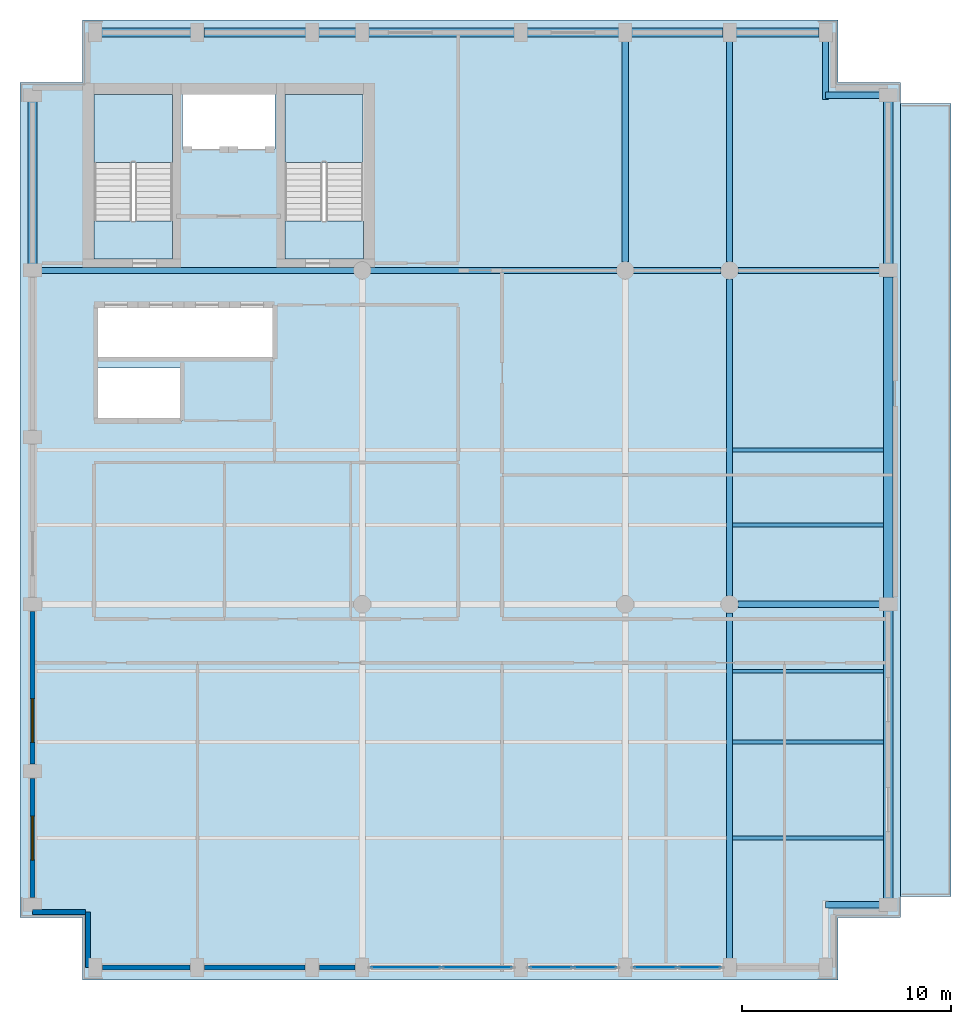
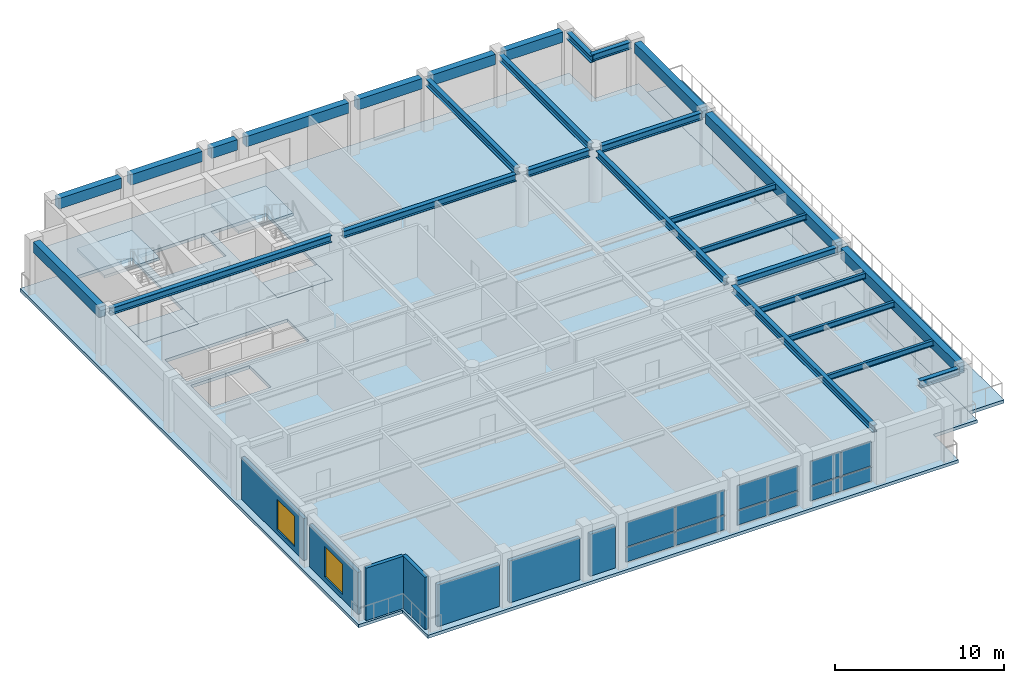
# One storey, part 3 of 9: 28 beams, 12 plates, 7 walls, 6 slabs, 2 windows, 2 openings, 5 elements without a shape of their own.
"""IFC4 building model written with IfcOpenShell, lengths in metres."""

import ifcopenshell
import ifcopenshell.guid

model = None  # the IFC model being written
_history = None  # IfcOwnerHistory: only IFC2X3 demands one
_inside = {}  # id of a spatial element -> (the spatial element, [elements in it])
_under = {}  # id of a project, library or spatial element -> (it, [spatial elements below it])
_declared = {}  # id of a project -> (the project, [libraries it declares])
_typed = {}  # id of a type object -> (the type object, [elements of that type])
_made_of = {}  # id of a material, layer set ... -> (it, [elements and type objects made of it])


def new_model(schema):
    """Start an empty IFC model of exactly this schema.

    Asked for "IFC4X3", IfcOpenShell would pick the latest addendum, in which some entities
    have other attributes; the version numbers below select the first issue.
    IFC2X3 requires an IfcOwnerHistory on every rooted entity: one is made here for all.
    """
    global model, _history
    if schema == "IFC4X3":
        model = ifcopenshell.file(schema_version=(4, 3, 0, 0))
    else:
        model = ifcopenshell.file(schema=schema)
    _inside.clear()
    _under.clear()
    _declared.clear()
    _typed.clear()
    _made_of.clear()
    _history = None
    if model.schema == "IFC2X3":
        org = make("IfcOrganization", Name="unknown")
        user = make(
            "IfcPersonAndOrganization",
            ThePerson=make("IfcPerson", FamilyName="unknown"),
            TheOrganization=org,
        )
        app = make(
            "IfcApplication",
            ApplicationDeveloper=org,
            Version="unknown",
            ApplicationFullName="unknown",
            ApplicationIdentifier="unknown",
        )
        _history = make(
            "IfcOwnerHistory",
            OwningUser=user,
            OwningApplication=app,
            ChangeAction="ADDED",
            CreationDate=0,
        )
    return model


def make(cls, **values):
    """One entity of the class cls with the attributes given. An attribute that is None is left unset."""
    return model.create_entity(
        cls, **{name: value for name, value in values.items() if value is not None}
    )


def rooted(cls, **values):
    """An entity with a GlobalId (a new one), such as an element, a storey or a relation."""
    return make(cls, GlobalId=ifcopenshell.guid.new(), OwnerHistory=_history, **values)


def si_unit(unit_type, name, prefix=None):
    """IfcSIUnit, for example si_unit("LENGTHUNIT", "METRE", prefix="MILLI")."""
    return make("IfcSIUnit", UnitType=unit_type, Prefix=prefix, Name=name)


def assignment(units):
    """IfcUnitAssignment: the units of a project."""
    return None if units is None else make("IfcUnitAssignment", Units=units)


def point(xyz):
    """IfcCartesianPoint."""
    return None if xyz is None else make("IfcCartesianPoint", Coordinates=xyz)


def direction(xyz):
    """IfcDirection."""
    return None if xyz is None else make("IfcDirection", DirectionRatios=xyz)


def frame(location, z_axis=None, x_axis=None):
    """IfcAxis2Placement3D, a coordinate frame: its origin and axes. An axis left out is left unset."""
    return make(
        "IfcAxis2Placement3D",
        Location=point(location),
        Axis=direction(z_axis),
        RefDirection=direction(x_axis),
    )


def frame_2d(location, x_axis=None):
    """IfcAxis2Placement2D, a coordinate frame in the plane: its origin and x axis."""
    return make(
        "IfcAxis2Placement2D", Location=point(location), RefDirection=direction(x_axis)
    )


def origin():
    """The frame at (0, 0, 0) with its axes left unset."""
    return frame((0.0, 0.0, 0.0))


def origin_2d():
    """The frame at (0, 0) in the plane with its x axis left unset."""
    return frame_2d((0.0, 0.0))


def place(relative_to, where):
    """IfcLocalPlacement: puts the frame where relative to a parent placement (None: the world)."""
    return make(
        "IfcLocalPlacement", PlacementRelTo=relative_to, RelativePlacement=where
    )


def context(
    kind, dimensions, precision=None, world=None, true_north=None, identifier=None
):
    """IfcGeometricRepresentationContext, for example the 3D "Model" context."""
    return make(
        "IfcGeometricRepresentationContext",
        ContextIdentifier=identifier,
        ContextType=kind,
        CoordinateSpaceDimension=dimensions,
        Precision=precision,
        WorldCoordinateSystem=world,
        TrueNorth=true_north,
    )


def subcontext(parent, identifier, kind, view, scale=None):
    """IfcGeometricRepresentationSubContext, for example "Body" below "Model"."""
    return make(
        "IfcGeometricRepresentationSubContext",
        ContextIdentifier=identifier,
        ContextType=kind,
        ParentContext=parent,
        TargetScale=scale,
        TargetView=view,
    )


def project(units=None, contexts=None):
    """IfcProject with its units and contexts."""
    return rooted(
        "IfcProject",
        Name="project",
        RepresentationContexts=contexts,
        UnitsInContext=assignment(units),
    )


def spatial(cls, under=None, at=None, **own):
    """A site, building, storey or space (cls), placed at a placement, below another one or the project."""
    s = rooted(cls, ObjectPlacement=at, **own)
    if under is not None:
        _under.setdefault(under.id(), (under, []))[1].append(s)
    return s


def polyline(points):
    """IfcPolyline through the points."""
    return make("IfcPolyline", Points=[point(p) for p in points])


def profile(cls, at=None, kind="AREA", **sizes):
    """A parametric profile (cls). Its sizes go by their IFC names, for example OverallWidth=200.0."""
    return make(cls, ProfileType=kind, Position=at, **sizes)


def rectangle(**sizes):
    """IfcRectangleProfileDef."""
    return profile("IfcRectangleProfileDef", **sizes)


def i_section(**sizes):
    """IfcIShapeProfileDef."""
    return profile("IfcIShapeProfileDef", **sizes)


def outline(outer, holes=None, kind="AREA"):
    """IfcArbitraryClosedProfileDef: a profile drawn as a closed curve; with holes, ...WithVoids."""
    if holes is None:
        return make("IfcArbitraryClosedProfileDef", ProfileType=kind, OuterCurve=outer)
    return make(
        "IfcArbitraryProfileDefWithVoids",
        ProfileType=kind,
        OuterCurve=outer,
        InnerCurves=holes,
    )


def extrude(swept, where, along, depth):
    """IfcExtrudedAreaSolid: the profile swept, set in the frame where, extruded along a direction by depth."""
    return make(
        "IfcExtrudedAreaSolid",
        SweptArea=swept,
        Position=where,
        ExtrudedDirection=direction(along),
        Depth=depth,
    )


def shape(context_of_items, identifier, shape_type, items):
    """IfcShapeRepresentation: the items that make up one representation, for example the "Body"."""
    return make(
        "IfcShapeRepresentation",
        ContextOfItems=context_of_items,
        RepresentationIdentifier=identifier,
        RepresentationType=shape_type,
        Items=items,
    )


def material(Name=None, Category=None):
    """IfcMaterial."""
    return make("IfcMaterial", Name=Name, Category=Category)


def layer(
    of_material, thickness, ventilated=None, Name=None, Category=None, Priority=None
):
    """IfcMaterialLayer: one layer of a wall or slab, of a material (None: an air gap)."""
    return make(
        "IfcMaterialLayer",
        Material=of_material,
        LayerThickness=thickness,
        IsVentilated=ventilated,
        Name=Name,
        Category=Category,
        Priority=Priority,
    )


def layer_set(layers, Name=None):
    """IfcMaterialLayerSet."""
    return make("IfcMaterialLayerSet", MaterialLayers=layers, LayerSetName=Name)


def material_profile(
    of_material, cross_section, Name=None, Category=None, Priority=None
):
    """IfcMaterialProfile: a cross section and its material."""
    return make(
        "IfcMaterialProfile",
        Name=Name,
        Material=of_material,
        Profile=cross_section,
        Priority=Priority,
        Category=Category,
    )


def profile_set(profiles, Name=None, composite=None):
    """IfcMaterialProfileSet."""
    return make(
        "IfcMaterialProfileSet",
        Name=Name,
        MaterialProfiles=profiles,
        CompositeProfile=composite,
    )


def made_of(thing, what):
    """Note that an element or type object is made of a material, layer set ...; save() writes the relation."""
    if what is not None:
        _made_of.setdefault(what.id(), (what, []))[1].append(thing)
    return thing


def type_object(cls, material=None, **own):
    """A type object (cls), such as IfcWallType, which elements share."""
    return made_of(rooted(cls, **own), material)


def element(
    cls,
    number,
    at=None,
    inside=None,
    cuts=None,
    type_object=None,
    material=None,
    context=None,
    identifier="Body",
    shape_type=None,
    held_by="IfcProductDefinitionShape",
    body=None,
    shapes=None,
    **own,
):
    """One element of the class cls, such as IfcWall. Its Tag is "e" and its number.

    at: its placement. inside: the storey or other place that contains it. cuts: it is an
    opening in that element (IfcRelVoidsElement). A single representation is given by context,
    identifier, shape_type and body (its items); several are given by shapes. held_by: the class
    of the entity that holds the representations. save() writes the other relations.
    """
    e = rooted(cls, Tag="e%d" % number, ObjectPlacement=at, **own)
    if body is not None:
        shapes = [shape(context, identifier, shape_type, body)]
    if shapes is not None:
        e.Representation = make(held_by, Representations=shapes)
    if inside is not None:
        _inside.setdefault(inside.id(), (inside, []))[1].append(e)
    if cuts is not None:
        rooted(
            "IfcRelVoidsElement", RelatingBuildingElement=cuts, RelatedOpeningElement=e
        )
    if type_object is not None:
        _typed.setdefault(type_object.id(), (type_object, []))[1].append(e)
    return made_of(e, material)


def fill(opening, filler):
    """IfcRelFillsElement: the door or window that sits in an opening."""
    return rooted(
        "IfcRelFillsElement",
        RelatingOpeningElement=opening,
        RelatedBuildingElement=filler,
    )


def aggregate(whole, parts):
    """IfcRelAggregates: a whole, such as a stair, and the parts it consists of."""
    return rooted("IfcRelAggregates", RelatingObject=whole, RelatedObjects=parts)


def save(model, path):
    """Write the relations noted so far, then the file.

    IfcRelAggregates (storeys below a building ...), IfcRelContainedInSpatialStructure (elements
    in a storey), IfcRelDefinesByType, IfcRelAssociatesMaterial and IfcRelDeclares: one each for
    every whole, place, type object, material and project.
    """
    for whole, parts in _under.values():
        aggregate(whole, parts)
    for where, things in _inside.values():
        rooted(
            "IfcRelContainedInSpatialStructure",
            RelatedElements=things,
            RelatingStructure=where,
        )
    for kind, things in _typed.values():
        rooted("IfcRelDefinesByType", RelatedObjects=things, RelatingType=kind)
    for what, things in _made_of.values():
        rooted("IfcRelAssociatesMaterial", RelatedObjects=things, RelatingMaterial=what)
    for by, libraries in _declared.values():
        rooted("IfcRelDeclares", RelatingContext=by, RelatedDefinitions=libraries)
    model.write(path)


model = new_model("IFC4")

# Units and contexts
model_context = context("Model", 3, precision=1e-05, world=origin(), true_north=direction((0.0, 1.0)))
body_context = subcontext(model_context, "Body", "Model", "MODEL_VIEW")
ifc_project = project(units=[si_unit("LENGTHUNIT", "METRE"), si_unit("AREAUNIT", "SQUARE_METRE"), si_unit("VOLUMEUNIT", "CUBIC_METRE"), si_unit("PLANEANGLEUNIT", "RADIAN"), si_unit("MASSUNIT", "GRAM", prefix="KILO")], contexts=[model_context])

# Site, building, storey
site_placement = place(None, origin())
site = spatial("IfcSite", under=ifc_project, at=site_placement, CompositionType="ELEMENT")
building_placement = place(site_placement, origin())
building = spatial("IfcBuilding", under=site, at=building_placement, Name="Sulina Concourse Tower", CompositionType="ELEMENT")
storey_placement = place(building_placement, frame((0.0, 0.0, 297.0)))
storey = spatial("IfcBuildingStorey", under=building, at=storey_placement, Name="L72", CompositionType="ELEMENT", Elevation=297.0)

# Beams
ifc_material_1 = material(Name="Steel S355", Category="steel")
ifc_material_profile_1 = material_profile(ifc_material_1, i_section(OverallWidth=0.300048828125, OverallDepth=0.5, WebThickness=0.014404296875, FlangeThickness=0.028076171875, at=origin_2d()), Name="HE 500 B")
ifc_profile_set_1 = profile_set([ifc_material_profile_1], Name="Steel S355")
beam_type_1 = type_object("IfcBeamType", Name="Crown & Canopy Primary Girder HE500B", PredefinedType="BEAM", material=ifc_profile_set_1)
for number, where, z_axis, x_axis, name in (
    (1, (38.60009765625, 3.60009765625, 3.52490234375), (1.0, 0.0, 0.0), (0.0, 1.0, 0.0), "TIE-SE-L72"),
    (2, (38.60009765625, 42.39990234375, 3.52490234375), (1.0, 0.0, 0.0), (0.0, 1.0, 0.0), "TIE-NE-L72"),
):
    element("IfcBeam", number, at=place(storey_placement, frame(where, z_axis=z_axis, x_axis=x_axis)), inside=storey, type_object=beam_type_1, Name=name, PredefinedType="BEAM", context=body_context, shape_type="SweptSolid", body=[
        extrude(i_section(OverallWidth=0.300048828125, OverallDepth=0.5, WebThickness=0.014404296875, FlangeThickness=0.028076171875, at=origin_2d()), origin(), (0.0, 0.0, 1.0), 2.69482421875),
    ])
beam_1_placement = place(storey_placement, frame((38.60009765625, 42.199951171875, 3.52490234375), z_axis=(0.0, 1.0, 0.0), x_axis=(-1.0, 0.0, 0.0)))
element("IfcBeam", 3, at=beam_1_placement, inside=storey, type_object=beam_type_1, Name="TIE-NEN-L72", PredefinedType="BEAM", context=body_context, shape_type="SweptSolid", body=[
    extrude(i_section(OverallWidth=0.300048828125, OverallDepth=0.5, WebThickness=0.014404296875, FlangeThickness=0.028076171875, at=origin_2d()), origin(), (0.0, 0.0, 1.0), 2.89501953125),
])
beam_2_placement = place(storey_placement, frame((34.405029296875, 18.0, 3.52490234375), z_axis=(1.0, 0.0, 0.0), x_axis=(0.0, 1.0, 0.0)))
element("IfcBeam", 4, at=beam_2_placement, inside=storey, type_object=beam_type_1, Name="FG-EW4-L72", PredefinedType="BEAM", context=body_context, shape_type="SweptSolid", body=[
    extrude(i_section(OverallWidth=0.300048828125, OverallDepth=0.5, WebThickness=0.014404296875, FlangeThickness=0.028076171875, at=origin_2d()), origin(), (0.0, 0.0, 1.0), 6.889892578125),
])
beam_3_placement = place(storey_placement, frame((0.905029296875, 34.0, 3.52490234375), z_axis=(1.0, 0.0, 0.0), x_axis=(0.0, 1.0, 0.0)))
element("IfcBeam", 5, at=beam_3_placement, inside=storey, type_object=beam_type_1, Name="FG-EWN1-L72", PredefinedType="BEAM", context=body_context, shape_type="SweptSolid", body=[
    extrude(i_section(OverallWidth=0.300048828125, OverallDepth=0.5, WebThickness=0.014404296875, FlangeThickness=0.028076171875, at=origin_2d()), origin(), (0.0, 0.0, 1.0), 15.090087890625),
])
beam_4_placement = place(storey_placement, frame((16.804931640625, 34.0, 3.52490234375), z_axis=(1.0, 0.0, 0.0), x_axis=(0.0, 1.0, 0.0)))
element("IfcBeam", 6, at=beam_4_placement, inside=storey, type_object=beam_type_1, Name="FG-EWN2-L72", PredefinedType="BEAM", context=body_context, shape_type="SweptSolid", body=[
    extrude(i_section(OverallWidth=0.300048828125, OverallDepth=0.5, WebThickness=0.014404296875, FlangeThickness=0.028076171875, at=origin_2d()), origin(), (0.0, 0.0, 1.0), 11.7900390625),
])
beam_5_placement = place(storey_placement, frame((29.405029296875, 34.0, 3.52490234375), z_axis=(1.0, 0.0, 0.0), x_axis=(0.0, 1.0, 0.0)))
element("IfcBeam", 7, at=beam_5_placement, inside=storey, type_object=beam_type_1, Name="FG-EWN3-L72", PredefinedType="BEAM", context=body_context, shape_type="SweptSolid", body=[
    extrude(i_section(OverallWidth=0.300048828125, OverallDepth=0.5, WebThickness=0.014404296875, FlangeThickness=0.028076171875, at=origin_2d()), origin(), (0.0, 0.0, 1.0), 4.18994140625),
])
beam_6_placement = place(storey_placement, frame((34.405029296875, 34.0, 3.52490234375), z_axis=(1.0, 0.0, 0.0), x_axis=(0.0, 1.0, 0.0)))
element("IfcBeam", 8, at=beam_6_placement, inside=storey, type_object=beam_type_1, Name="FG-EWN4-L72", PredefinedType="BEAM", context=body_context, shape_type="SweptSolid", body=[
    extrude(i_section(OverallWidth=0.300048828125, OverallDepth=0.5, WebThickness=0.014404296875, FlangeThickness=0.028076171875, at=origin_2d()), origin(), (0.0, 0.0, 1.0), 6.889892578125),
])
beam_7_placement = place(storey_placement, frame((29.0, 34.405029296875, 3.52490234375), z_axis=(0.0, 1.0, 0.0), x_axis=(-1.0, 0.0, 0.0)))
element("IfcBeam", 9, at=beam_7_placement, inside=storey, type_object=beam_type_1, Name="FG-NSC-29-L72", PredefinedType="BEAM", context=body_context, shape_type="SweptSolid", body=[
    extrude(i_section(OverallWidth=0.300048828125, OverallDepth=0.5, WebThickness=0.014404296875, FlangeThickness=0.028076171875, at=origin_2d()), origin(), (0.0, 0.0, 1.0), 10.68994140625),
])
beam_8_placement = place(storey_placement, frame((34.0, 0.905029296875, 3.52490234375), z_axis=(0.0, 1.0, 0.0), x_axis=(-1.0, 0.0, 0.0)))
element("IfcBeam", 10, at=beam_8_placement, inside=storey, type_object=beam_type_1, Name="FG-NSA-34-L72", PredefinedType="BEAM", context=body_context, shape_type="SweptSolid", body=[
    extrude(i_section(OverallWidth=0.300048828125, OverallDepth=0.5, WebThickness=0.014404296875, FlangeThickness=0.028076171875, at=origin_2d()), origin(), (0.0, 0.0, 1.0), 16.68994140625),
])
beam_9_placement = place(storey_placement, frame((34.0, 18.405029296875, 3.52490234375), z_axis=(0.0, 1.0, 0.0), x_axis=(-1.0, 0.0, 0.0)))
element("IfcBeam", 11, at=beam_9_placement, inside=storey, type_object=beam_type_1, Name="FG-NSB-34-L72", PredefinedType="BEAM", context=body_context, shape_type="SweptSolid", body=[
    extrude(i_section(OverallWidth=0.300048828125, OverallDepth=0.5, WebThickness=0.014404296875, FlangeThickness=0.028076171875, at=origin_2d()), origin(), (0.0, 0.0, 1.0), 15.18994140625),
])
beam_10_placement = place(storey_placement, frame((34.0, 34.405029296875, 3.52490234375), z_axis=(0.0, 1.0, 0.0), x_axis=(-1.0, 0.0, 0.0)))
element("IfcBeam", 12, at=beam_10_placement, inside=storey, type_object=beam_type_1, Name="FG-NSC-34-L72", PredefinedType="BEAM", context=body_context, shape_type="SweptSolid", body=[
    extrude(i_section(OverallWidth=0.300048828125, OverallDepth=0.5, WebThickness=0.014404296875, FlangeThickness=0.028076171875, at=origin_2d()), origin(), (0.0, 0.0, 1.0), 10.68994140625),
])
ifc_material_2 = material(Name="Steel S355", Category="steel")
ifc_material_profile_2 = material_profile(ifc_material_2, i_section(OverallWidth=0.179931640625, OverallDepth=0.39990234375, WebThickness=0.008544921875, FlangeThickness=0.013427734375, at=origin_2d()), Name="IPE 400")
ifc_profile_set_2 = profile_set([ifc_material_profile_2], Name="Steel S355")
beam_type_2 = type_object("IfcBeamType", Name="Crown & Terrace Joist IPE400", PredefinedType="JOIST", material=ifc_profile_set_2)
for number, where, z_axis, x_axis, name in (
    (13, (34.14990234375, 6.800048828125, 3.574951171875), (1.0, 0.0, 0.0), (0.0, 1.0, 0.0), "FJ-J06-4-L72"),
    (14, (34.14990234375, 11.39990234375, 3.574951171875), (1.0, 0.0, 0.0), (0.0, 1.0, 0.0), "FJ-J11-4-L72"),
    (15, (34.14990234375, 14.800048828125, 3.574951171875), (1.0, 0.0, 0.0), (0.0, 1.0, 0.0), "FJ-J15-4-L72"),
    (16, (34.14990234375, 21.800048828125, 3.574951171875), (1.0, 0.0, 0.0), (0.0, 1.0, 0.0), "FJ-J22-4-L72"),
    (17, (34.14990234375, 25.39990234375, 3.574951171875), (1.0, 0.0, 0.0), (0.0, 1.0, 0.0), "FJ-J25-4-L72"),
):
    element("IfcBeam", number, at=place(storey_placement, frame(where, z_axis=z_axis, x_axis=x_axis)), inside=storey, type_object=beam_type_2, Name=name, PredefinedType="JOIST", context=body_context, shape_type="SweptSolid", body=[
        extrude(i_section(OverallWidth=0.179931640625, OverallDepth=0.39990234375, WebThickness=0.008544921875, FlangeThickness=0.013427734375, at=origin_2d()), origin(), (0.0, 0.0, 1.0), 7.22509765625),
    ])
ifc_material_3 = material(Name="Precast concrete C50/60", Category="concrete")
ifc_material_profile_3 = material_profile(ifc_material_3, rectangle(XDim=0.449951171875, YDim=0.75, at=origin_2d()), Name="RC 450x750")
ifc_profile_set_3 = profile_set([ifc_material_profile_3], Name="Precast concrete C50/60")
beam_type_3 = type_object("IfcBeamType", Name="Upper Precast Spandrel Edge Beam 450x750", PredefinedType="BEAM", material=ifc_profile_set_3)
beam_11_placement = place(storey_placement, frame((3.905029296875, 45.39990234375, 3.39990234375), z_axis=(1.0, 0.0, 0.0), x_axis=(0.0, 1.0, 0.0)))
element("IfcBeam", 18, at=beam_11_placement, inside=storey, type_object=beam_type_3, Name="SP-N1-L72", PredefinedType="BEAM", context=body_context, shape_type="SweptSolid", body=[
    extrude(rectangle(XDim=0.449951171875, YDim=0.75, at=origin_2d()), origin(), (0.0, 0.0, 1.0), 4.2900390625),
])
beam_12_placement = place(storey_placement, frame((8.804931640625, 45.39990234375, 3.39990234375), z_axis=(1.0, 0.0, 0.0), x_axis=(0.0, 1.0, 0.0)))
element("IfcBeam", 19, at=beam_12_placement, inside=storey, type_object=beam_type_3, Name="SP-N2-L72", PredefinedType="BEAM", context=body_context, shape_type="SweptSolid", body=[
    extrude(rectangle(XDim=0.449951171875, YDim=0.75, at=origin_2d()), origin(), (0.0, 0.0, 1.0), 4.89013671875),
])
beam_13_placement = place(storey_placement, frame((14.304931640625, 45.39990234375, 3.39990234375), z_axis=(1.0, 0.0, 0.0), x_axis=(0.0, 1.0, 0.0)))
element("IfcBeam", 20, at=beam_13_placement, inside=storey, type_object=beam_type_3, Name="SP-N3-L72", PredefinedType="BEAM", context=body_context, shape_type="SweptSolid", body=[
    extrude(rectangle(XDim=0.449951171875, YDim=0.75, at=origin_2d()), origin(), (0.0, 0.0, 1.0), 1.7900390625),
])
beam_14_placement = place(storey_placement, frame((16.705078125, 45.39990234375, 3.39990234375), z_axis=(1.0, 0.0, 0.0), x_axis=(0.0, 1.0, 0.0)))
element("IfcBeam", 21, at=beam_14_placement, inside=storey, type_object=beam_type_3, Name="SP-N4-L72", PredefinedType="BEAM", context=body_context, shape_type="SweptSolid", body=[
    extrude(rectangle(XDim=0.449951171875, YDim=0.75, at=origin_2d()), origin(), (0.0, 0.0, 1.0), 6.989990234375),
])
for number, where, z_axis, x_axis, name in (
    (22, (24.304931640625, 45.39990234375, 3.39990234375), (1.0, 0.0, 0.0), (0.0, 1.0, 0.0), "SP-N5-L72"),
    (23, (29.304931640625, 45.39990234375, 3.39990234375), (1.0, 0.0, 0.0), (0.0, 1.0, 0.0), "SP-N6-L72"),
):
    element("IfcBeam", number, at=place(storey_placement, frame(where, z_axis=z_axis, x_axis=x_axis)), inside=storey, type_object=beam_type_3, Name=name, PredefinedType="BEAM", context=body_context, shape_type="SweptSolid", body=[
        extrude(rectangle(XDim=0.449951171875, YDim=0.75, at=origin_2d()), origin(), (0.0, 0.0, 1.0), 4.39013671875),
    ])
beam_15_placement = place(storey_placement, frame((34.304931640625, 45.39990234375, 3.39990234375), z_axis=(1.0, 0.0, 0.0), x_axis=(0.0, 1.0, 0.0)))
element("IfcBeam", 24, at=beam_15_placement, inside=storey, type_object=beam_type_3, Name="SP-N7-L72", PredefinedType="BEAM", context=body_context, shape_type="SweptSolid", body=[
    extrude(rectangle(XDim=0.449951171875, YDim=0.75, at=origin_2d()), origin(), (0.0, 0.0, 1.0), 3.989990234375),
])
beam_16_placement = place(storey_placement, frame((0.60009765625, 34.304931640625, 3.39990234375), z_axis=(0.0, 1.0, 0.0), x_axis=(-1.0, 0.0, 0.0)))
element("IfcBeam", 25, at=beam_16_placement, inside=storey, type_object=beam_type_3, Name="SP-W5-L72", PredefinedType="BEAM", context=body_context, shape_type="SweptSolid", body=[
    extrude(rectangle(XDim=0.449951171875, YDim=0.75, at=origin_2d()), origin(), (0.0, 0.0, 1.0), 7.7900390625),
])
beam_17_placement = place(storey_placement, frame((41.60009765625, 3.905029296875, 3.39990234375), z_axis=(0.0, 1.0, 0.0), x_axis=(-1.0, 0.0, 0.0)))
element("IfcBeam", 26, at=beam_17_placement, inside=storey, type_object=beam_type_3, Name="SP-E1-L72", PredefinedType="BEAM", context=body_context, shape_type="SweptSolid", body=[
    extrude(rectangle(XDim=0.449951171875, YDim=0.75, at=origin_2d()), origin(), (0.0, 0.0, 1.0), 13.7900390625),
])
beam_18_placement = place(storey_placement, frame((41.60009765625, 18.304931640625, 3.39990234375), z_axis=(0.0, 1.0, 0.0), x_axis=(-1.0, 0.0, 0.0)))
element("IfcBeam", 27, at=beam_18_placement, inside=storey, type_object=beam_type_3, Name="SP-E2-L72", PredefinedType="BEAM", context=body_context, shape_type="SweptSolid", body=[
    extrude(rectangle(XDim=0.449951171875, YDim=0.75, at=origin_2d()), origin(), (0.0, 0.0, 1.0), 15.39013671875),
])
beam_19_placement = place(storey_placement, frame((41.60009765625, 34.304931640625, 3.39990234375), z_axis=(0.0, 1.0, 0.0), x_axis=(-1.0, 0.0, 0.0)))
element("IfcBeam", 28, at=beam_19_placement, inside=storey, type_object=beam_type_3, Name="SP-E3-L72", PredefinedType="BEAM", context=body_context, shape_type="SweptSolid", body=[
    extrude(rectangle(XDim=0.449951171875, YDim=0.75, at=origin_2d()), origin(), (0.0, 0.0, 1.0), 7.7900390625),
])

# Slabs
ifc_material_4 = material(Name="Concrete C50/60", Category="concrete")
ifc_layer_1 = layer(ifc_material_4, 0.22509765625)
ifc_layer_set_1 = layer_set([ifc_layer_1], Name="Concrete C50/60")
slab_type_1 = type_object("IfcSlabType", Name="Crown & Observation Floor Slab 225mm", PredefinedType="FLOOR", material=ifc_layer_set_1)
slab_1_placement = place(storey_placement, frame((0.0, 0.0, -0.22509765625)))
element("IfcSlab", 29, at=slab_1_placement, inside=storey, type_object=slab_type_1, Name="L72 structural floor slab", PredefinedType="FLOOR", context=body_context, shape_type="SweptSolid", body=[
    extrude(outline(polyline([(3.0, 0.0), (39.199951171875, 0.0), (39.199951171875, 3.0), (42.199951171875, 3.0), (42.199951171875, 43.0), (39.199951171875, 43.0), (39.199951171875, 46.0), (3.0, 46.0), (3.0, 43.0), (0.0, 43.0), (0.0, 3.0), (3.0, 3.0), (3.0, 0.0)]), holes=[polyline([(7.31005859375, 34.550048828125), (7.31005859375, 42.429931640625), (3.550048828125, 42.429931640625), (3.550048828125, 34.550048828125), (7.31005859375, 34.550048828125)]), polyline([(16.449951171875, 34.550048828125), (16.449951171875, 42.429931640625), (12.68994140625, 42.429931640625), (12.68994140625, 34.550048828125), (16.449951171875, 34.550048828125)]), polyline([(7.780029296875, 39.830078125), (12.219970703125, 39.830078125), (12.219970703125, 42.449951171875), (7.780029296875, 42.449951171875), (7.780029296875, 39.830078125)]), polyline([(3.739990234375, 26.780029296875), (7.77001953125, 26.780029296875), (7.77001953125, 29.320068359375), (3.739990234375, 29.320068359375), (3.739990234375, 26.780029296875)]), polyline([(3.739990234375, 29.780029296875), (12.10009765625, 29.780029296875), (12.10009765625, 32.3701171875), (3.739990234375, 32.3701171875), (3.739990234375, 29.780029296875)])]), origin(), (0.0, 0.0, 1.0), 0.22509765625),
])
ifc_material_5 = material(Name="Precast concrete C50/60", Category="concrete")
ifc_layer_2 = layer(ifc_material_5, 0.235107421875)
ifc_layer_set_2 = layer_set([ifc_layer_2], Name="Precast concrete C50/60")
slab_type_2 = type_object("IfcSlabType", Name="Crown Stepped Terrace & Pool Deck Slab 235mm", PredefinedType="FLOOR", material=ifc_layer_set_2)
slab_2_placement = place(storey_placement, frame((0.0, 0.0, -0.235107421875)))
element("IfcSlab", 30, at=slab_2_placement, inside=storey, type_object=slab_type_2, Name="L72 outdoor terrace slab TER-CR2", PredefinedType="FLOOR", context=body_context, shape_type="SweptSolid", body=[
    extrude(outline(polyline([(42.199951171875, 4.0), (44.60009765625, 4.0), (44.60009765625, 42.0), (42.199951171875, 42.0), (42.199951171875, 4.0)])), origin(), (0.0, 0.0, 1.0), 0.235107421875),
])
ifc_material_6 = material(Name="Concrete C50/60", Category="concrete")
ifc_layer_3 = layer(ifc_material_6, 0.199951171875)
ifc_layer_set_3 = layer_set([ifc_layer_3], Name="Concrete C50/60")
slab_type_3 = type_object("IfcSlabType", Name="Primary Core Stair Landing Slab 200mm", PredefinedType="LANDING", material=ifc_layer_set_3)
slab_3_placement = place(storey_placement, frame((0.0, 0.0, -0.199951171875)))
element("IfcSlab", 31, at=slab_3_placement, inside=storey, type_object=slab_type_3, Name="L72 ST-1 floor landing slab", PredefinedType="LANDING", context=body_context, shape_type="SweptSolid", body=[
    extrude(outline(polyline([(7.31005859375, 34.550048828125), (7.31005859375, 36.375), (3.550048828125, 36.375), (3.550048828125, 34.550048828125), (7.31005859375, 34.550048828125)])), origin(), (0.0, 0.0, 1.0), 0.199951171875),
])
slab_4_placement = place(storey_placement, frame((0.0, 0.0, -0.199951171875)))
element("IfcSlab", 32, at=slab_4_placement, inside=storey, type_object=slab_type_3, Name="L72 ST-2 floor landing slab", PredefinedType="LANDING", context=body_context, shape_type="SweptSolid", body=[
    extrude(outline(polyline([(16.449951171875, 34.550048828125), (16.449951171875, 36.375), (12.68994140625, 36.375), (12.68994140625, 34.550048828125), (16.449951171875, 34.550048828125)])), origin(), (0.0, 0.0, 1.0), 0.199951171875),
])

# Stair, slab
ifc_material_7 = material(Name="Concrete C50/60", Category="concrete")
stair_type = type_object("IfcStairType", Name="Primary Core Dog-Leg Exit Stair 1800mm", PredefinedType="HALF_TURN_STAIR", material=ifc_material_7)
stair_1_placement = place(storey_placement, origin())
stair_1 = element("IfcStair", 33, at=stair_1_placement, inside=storey, type_object=stair_type, Name="L72 ST-1", PredefinedType="HALF_TURN_STAIR")
slab_5_placement = place(storey_placement, frame((0.0, 0.0, 1.800048828125)))
slab_5 = element("IfcSlab", 34, at=slab_5_placement, type_object=slab_type_3, Name="ST-1 landing 1", PredefinedType="LANDING", context=body_context, shape_type="SweptSolid", body=[
    extrude(outline(polyline([(7.304931640625, 39.175048828125), (7.304931640625, 42.425048828125), (3.554931640625, 42.425048828125), (3.554931640625, 39.175048828125), (7.304931640625, 39.175048828125)])), origin(), (0.0, 0.0, 1.0), 0.199951171875),
])
aggregate(stair_1, [slab_5])

stair_2_placement = place(storey_placement, origin())
stair_2 = element("IfcStair", 35, at=stair_2_placement, inside=storey, type_object=stair_type, Name="L72 ST-2", PredefinedType="HALF_TURN_STAIR")
slab_6_placement = place(storey_placement, frame((0.0, 0.0, 1.800048828125)))
slab_6 = element("IfcSlab", 36, at=slab_6_placement, type_object=slab_type_3, Name="ST-2 landing 1", PredefinedType="LANDING", context=body_context, shape_type="SweptSolid", body=[
    extrude(outline(polyline([(16.445068359375, 39.175048828125), (16.445068359375, 42.425048828125), (12.695068359375, 42.425048828125), (12.695068359375, 39.175048828125), (16.445068359375, 39.175048828125)])), origin(), (0.0, 0.0, 1.0), 0.199951171875),
])
aggregate(stair_2, [slab_6])

# Curtain wall, plates
ifc_material_8 = material(Name="Anodised bronze aluminium", Category="aluminium")
ifc_layer_4 = layer(ifc_material_8, 0.27001953125)
ifc_layer_set_4 = layer_set([ifc_layer_4], Name="Anodised bronze aluminium")
curtain_wall_type = type_object("IfcCurtainWallType", Name="Stepped Crown Observation Curtain Wall System", PredefinedType="NOTDEFINED", material=ifc_layer_set_4)
curtain_wall_1_placement = place(storey_placement, origin())
curtain_wall_1 = element("IfcCurtainWall", 37, at=curtain_wall_1_placement, inside=storey, type_object=curtain_wall_type, Name="L72 glazed curtain wall S4", PredefinedType="NOTDEFINED")
ifc_material_9 = material(Name="Ultra-clear observation triple glazing", Category="glass")
ifc_layer_5 = layer(ifc_material_9, 0.0439453125)
ifc_layer_set_5 = layer_set([ifc_layer_5], Name="Ultra-clear observation triple glazing")
plate_type = type_object("IfcPlateType", Name="Stepped Crown Observation Curtain Wall System Glazed Panel 44mm", PredefinedType="CURTAIN_PANEL", material=ifc_layer_set_5)
plate_1_placement = place(storey_placement, frame((21.90625, 0.60009765625, 0.0849609375), z_axis=(0.0, 0.0, 1.0), x_axis=(-1.0, 0.0, 0.0)))
plate_1 = element("IfcPlate", 38, at=plate_1_placement, type_object=plate_type, Name="CW-06 panel 1.1", PredefinedType="CURTAIN_PANEL", context=body_context, shape_type="SweptSolid", body=[
    extrude(rectangle(XDim=3.327392578125, YDim=0.0439453125, at=origin_2d()), origin(), (0.0, 0.0, 1.0), 1.02197265625),
])
plate_2_placement = place(storey_placement, frame((21.90625, 0.60009765625, 1.19189453125), z_axis=(0.0, 0.0, 1.0), x_axis=(-1.0, 0.0, 0.0)))
plate_2 = element("IfcPlate", 39, at=plate_2_placement, type_object=plate_type, Name="CW-06 panel 1.2", PredefinedType="CURTAIN_PANEL", context=body_context, shape_type="SweptSolid", body=[
    extrude(rectangle(XDim=3.327392578125, YDim=0.0439453125, at=origin_2d()), origin(), (0.0, 0.0, 1.0), 1.748046875),
])
plate_3_placement = place(storey_placement, frame((18.49365234375, 0.60009765625, 0.0849609375), z_axis=(0.0, 0.0, 1.0), x_axis=(-1.0, 0.0, 0.0)))
plate_3 = element("IfcPlate", 40, at=plate_3_placement, type_object=plate_type, Name="CW-06 panel 2.1", PredefinedType="CURTAIN_PANEL", context=body_context, shape_type="SweptSolid", body=[
    extrude(rectangle(XDim=3.327392578125, YDim=0.0439453125, at=origin_2d()), origin(), (0.0, 0.0, 1.0), 1.02197265625),
])
plate_4_placement = place(storey_placement, frame((18.49365234375, 0.60009765625, 1.19189453125), z_axis=(0.0, 0.0, 1.0), x_axis=(-1.0, 0.0, 0.0)))
plate_4 = element("IfcPlate", 41, at=plate_4_placement, type_object=plate_type, Name="CW-06 panel 2.2", PredefinedType="CURTAIN_PANEL", context=body_context, shape_type="SweptSolid", body=[
    extrude(rectangle(XDim=3.327392578125, YDim=0.0439453125, at=origin_2d()), origin(), (0.0, 0.0, 1.0), 1.748046875),
])
aggregate(curtain_wall_1, [plate_1, plate_2, plate_3, plate_4])

curtain_wall_2_placement = place(storey_placement, origin())
curtain_wall_2 = element("IfcCurtainWall", 42, at=curtain_wall_2_placement, inside=storey, type_object=curtain_wall_type, Name="L72 glazed curtain wall S5", PredefinedType="NOTDEFINED")
plate_5_placement = place(storey_placement, frame((27.55615234375, 0.60009765625, 0.0849609375), z_axis=(0.0, 0.0, 1.0), x_axis=(-1.0, 0.0, 0.0)))
plate_5 = element("IfcPlate", 43, at=plate_5_placement, type_object=plate_type, Name="CW-06 panel 1.1", PredefinedType="CURTAIN_PANEL", context=body_context, shape_type="SweptSolid", body=[
    extrude(rectangle(XDim=2.027587890625, YDim=0.0439453125, at=origin_2d()), origin(), (0.0, 0.0, 1.0), 1.02197265625),
])
plate_6_placement = place(storey_placement, frame((27.55615234375, 0.60009765625, 1.19189453125), z_axis=(0.0, 0.0, 1.0), x_axis=(-1.0, 0.0, 0.0)))
plate_6 = element("IfcPlate", 44, at=plate_6_placement, type_object=plate_type, Name="CW-06 panel 1.2", PredefinedType="CURTAIN_PANEL", context=body_context, shape_type="SweptSolid", body=[
    extrude(rectangle(XDim=2.027587890625, YDim=0.0439453125, at=origin_2d()), origin(), (0.0, 0.0, 1.0), 1.748046875),
])
plate_7_placement = place(storey_placement, frame((25.44384765625, 0.60009765625, 0.0849609375), z_axis=(0.0, 0.0, 1.0), x_axis=(-1.0, 0.0, 0.0)))
plate_7 = element("IfcPlate", 45, at=plate_7_placement, type_object=plate_type, Name="CW-06 panel 2.1", PredefinedType="CURTAIN_PANEL", context=body_context, shape_type="SweptSolid", body=[
    extrude(rectangle(XDim=2.027587890625, YDim=0.0439453125, at=origin_2d()), origin(), (0.0, 0.0, 1.0), 1.02197265625),
])
plate_8_placement = place(storey_placement, frame((25.44384765625, 0.60009765625, 1.19189453125), z_axis=(0.0, 0.0, 1.0), x_axis=(-1.0, 0.0, 0.0)))
plate_8 = element("IfcPlate", 46, at=plate_8_placement, type_object=plate_type, Name="CW-06 panel 2.2", PredefinedType="CURTAIN_PANEL", context=body_context, shape_type="SweptSolid", body=[
    extrude(rectangle(XDim=2.027587890625, YDim=0.0439453125, at=origin_2d()), origin(), (0.0, 0.0, 1.0), 1.748046875),
])
aggregate(curtain_wall_2, [plate_5, plate_6, plate_7, plate_8])

curtain_wall_3_placement = place(storey_placement, origin())
curtain_wall_3 = element("IfcCurtainWall", 47, at=curtain_wall_3_placement, inside=storey, type_object=curtain_wall_type, Name="L72 glazed curtain wall S6", PredefinedType="NOTDEFINED")
plate_9_placement = place(storey_placement, frame((32.55615234375, 0.60009765625, 0.0849609375), z_axis=(0.0, 0.0, 1.0), x_axis=(-1.0, 0.0, 0.0)))
plate_9 = element("IfcPlate", 48, at=plate_9_placement, type_object=plate_type, Name="CW-06 panel 1.1", PredefinedType="CURTAIN_PANEL", context=body_context, shape_type="SweptSolid", body=[
    extrude(rectangle(XDim=2.027587890625, YDim=0.0439453125, at=origin_2d()), origin(), (0.0, 0.0, 1.0), 1.02197265625),
])
plate_10_placement = place(storey_placement, frame((32.55615234375, 0.60009765625, 1.19189453125), z_axis=(0.0, 0.0, 1.0), x_axis=(-1.0, 0.0, 0.0)))
plate_10 = element("IfcPlate", 49, at=plate_10_placement, type_object=plate_type, Name="CW-06 panel 1.2", PredefinedType="CURTAIN_PANEL", context=body_context, shape_type="SweptSolid", body=[
    extrude(rectangle(XDim=2.027587890625, YDim=0.0439453125, at=origin_2d()), origin(), (0.0, 0.0, 1.0), 1.748046875),
])
plate_11_placement = place(storey_placement, frame((30.44384765625, 0.60009765625, 0.0849609375), z_axis=(0.0, 0.0, 1.0), x_axis=(-1.0, 0.0, 0.0)))
plate_11 = element("IfcPlate", 50, at=plate_11_placement, type_object=plate_type, Name="CW-06 panel 2.1", PredefinedType="CURTAIN_PANEL", context=body_context, shape_type="SweptSolid", body=[
    extrude(rectangle(XDim=2.027587890625, YDim=0.0439453125, at=origin_2d()), origin(), (0.0, 0.0, 1.0), 1.02197265625),
])
plate_12_placement = place(storey_placement, frame((30.44384765625, 0.60009765625, 1.19189453125), z_axis=(0.0, 0.0, 1.0), x_axis=(-1.0, 0.0, 0.0)))
plate_12 = element("IfcPlate", 51, at=plate_12_placement, type_object=plate_type, Name="CW-06 panel 2.2", PredefinedType="CURTAIN_PANEL", context=body_context, shape_type="SweptSolid", body=[
    extrude(rectangle(XDim=2.027587890625, YDim=0.0439453125, at=origin_2d()), origin(), (0.0, 0.0, 1.0), 1.748046875),
])
aggregate(curtain_wall_3, [plate_9, plate_10, plate_11, plate_12])

# Walls
ifc_material_10 = material(Name="Precast concrete C50/60", Category="concrete")
ifc_layer_6 = layer(ifc_material_10, 0.239990234375)
ifc_layer_set_6 = layer_set([ifc_layer_6], Name="Precast concrete C50/60")
wall_type = type_object("IfcWallType", Name="Crown Precast Masonry-Frame Facade Wall 240mm", PredefinedType="SOLIDWALL", material=ifc_layer_set_6)
wall_1_placement = place(storey_placement, frame((8.155029296875, 0.60009765625, 0.0), z_axis=(0.0, 0.0, 1.0), x_axis=(-1.0, 0.0, 0.0)))
element("IfcWall", 52, at=wall_1_placement, inside=storey, type_object=wall_type, Name="L72 exterior precast wall S1", PredefinedType="SOLIDWALL", context=body_context, shape_type="SweptSolid", body=[
    extrude(rectangle(XDim=4.2099609375, YDim=0.239990234375, at=frame_2d((2.10498046875, 0.0))), origin(), (0.0, 0.0, 1.0), 3.02490234375),
])
wall_2_placement = place(storey_placement, frame((13.655029296875, 0.60009765625, 0.0), z_axis=(0.0, 0.0, 1.0), x_axis=(-1.0, 0.0, 0.0)))
element("IfcWall", 53, at=wall_2_placement, inside=storey, type_object=wall_type, Name="L72 exterior precast wall S2", PredefinedType="SOLIDWALL", context=body_context, shape_type="SweptSolid", body=[
    extrude(rectangle(XDim=4.81005859375, YDim=0.239990234375, at=frame_2d((2.405029296875, 0.0))), origin(), (0.0, 0.0, 1.0), 3.02490234375),
])
wall_3_placement = place(storey_placement, frame((16.054931640625, 0.60009765625, 0.0), z_axis=(0.0, 0.0, 1.0), x_axis=(-1.0, 0.0, 0.0)))
element("IfcWall", 54, at=wall_3_placement, inside=storey, type_object=wall_type, Name="L72 exterior precast wall S3", PredefinedType="SOLIDWALL", context=body_context, shape_type="SweptSolid", body=[
    extrude(rectangle(XDim=1.7099609375, YDim=0.239990234375, at=frame_2d((0.85498046875, 0.0))), origin(), (0.0, 0.0, 1.0), 3.02490234375),
])

# Wall, opening, window
wall_4_placement = place(storey_placement, frame((0.60009765625, 3.945068359375, 0.0), z_axis=(0.0, 0.0, 1.0), x_axis=(0.0, 1.0, 0.0)))
wall_4 = element("IfcWall", 55, at=wall_4_placement, inside=storey, type_object=wall_type, Name="L72 exterior precast wall W1", PredefinedType="SOLIDWALL", context=body_context, shape_type="SweptSolid", body=[
    extrude(rectangle(XDim=5.7099609375, YDim=0.239990234375, at=frame_2d((2.85498046875, 0.0))), origin(), (0.0, 0.0, 1.0), 3.02490234375),
])
opening_1_placement = place(wall_4_placement, frame((1.804931640625, 0.0, 0.35009765625)))
opening_1 = element("IfcOpeningElement", 56, at=opening_1_placement, cuts=wall_4, Name="Opening WN-33", PredefinedType="OPENING", context=body_context, shape_type="SweptSolid", body=[
    extrude(rectangle(XDim=2.10009765625, YDim=2.199951171875, at=frame_2d((1.050048828125, 1.10009765625))), frame((0.0, 0.1298828125, 0.0), z_axis=(0.0, -1.0, 0.0), x_axis=(1.0, 0.0, 0.0)), (0.0, 0.0, 1.0), 0.260009765625),
])
ifc_material_11 = material(Name="Low-E solar double glazing in bronze aluminium", Category="aluminium")
window_type = type_object("IfcWindowType", Name="Punched Masonry-Frame Window 2100x2200", PartitioningType="DOUBLE_PANEL_VERTICAL", PredefinedType="WINDOW", material=ifc_material_11)
window_1_placement = place(opening_1_placement, origin())
window_1 = element("IfcWindow", 57, at=window_1_placement, inside=storey, type_object=window_type, Name="L72 punched window W1-1", OverallHeight=2.199951171875, OverallWidth=2.10009765625, PartitioningType="SINGLE_PANEL", PredefinedType="WINDOW", context=body_context, shape_type="SweptSolid", body=[
    extrude(rectangle(XDim=2.10009765625, YDim=2.199951171875, at=frame_2d((1.050048828125, 1.10009765625))), frame((0.0, 0.030029296875, 0.0), z_axis=(0.0, -1.0, 0.0), x_axis=(1.0, 0.0, 0.0)), (0.0, 0.0, 1.0), 0.06005859375),
])
fill(opening_1, window_1)

wall_5_placement = place(storey_placement, frame((0.60009765625, 10.344970703125, 0.0), z_axis=(0.0, 0.0, 1.0), x_axis=(0.0, 1.0, 0.0)))
wall_5 = element("IfcWall", 58, at=wall_5_placement, inside=storey, type_object=wall_type, Name="L72 exterior precast wall W2", PredefinedType="SOLIDWALL", context=body_context, shape_type="SweptSolid", body=[
    extrude(rectangle(XDim=7.31005859375, YDim=0.239990234375, at=frame_2d((3.655029296875, 0.0))), origin(), (0.0, 0.0, 1.0), 3.02490234375),
])
opening_2_placement = place(wall_5_placement, frame((1.03662109375, 0.0, 0.35009765625)))
opening_2 = element("IfcOpeningElement", 59, at=opening_2_placement, cuts=wall_5, Name="Opening WN-33", PredefinedType="OPENING", context=body_context, shape_type="SweptSolid", body=[
    extrude(rectangle(XDim=2.10009765625, YDim=2.199951171875, at=frame_2d((1.050048828125, 1.10009765625))), frame((0.0, 0.1298828125, 0.0), z_axis=(0.0, -1.0, 0.0), x_axis=(1.0, 0.0, 0.0)), (0.0, 0.0, 1.0), 0.260009765625),
])
window_2_placement = place(opening_2_placement, origin())
window_2 = element("IfcWindow", 60, at=window_2_placement, inside=storey, type_object=window_type, Name="L72 punched window W2-1", OverallHeight=2.199951171875, OverallWidth=2.10009765625, PartitioningType="SINGLE_PANEL", PredefinedType="WINDOW", context=body_context, shape_type="SweptSolid", body=[
    extrude(rectangle(XDim=2.10009765625, YDim=2.199951171875, at=frame_2d((1.050048828125, 1.10009765625))), frame((0.0, 0.030029296875, 0.0), z_axis=(0.0, -1.0, 0.0), x_axis=(1.0, 0.0, 0.0)), (0.0, 0.0, 1.0), 0.06005859375),
])
fill(opening_2, window_2)

# Walls
wall_6_placement = place(storey_placement, frame((3.2548828125, 0.60009765625, 0.0), z_axis=(0.0, 0.0, 1.0), x_axis=(0.0, 1.0, 0.0)))
element("IfcWall", 61, at=wall_6_placement, inside=storey, type_object=wall_type, Name="L72 exterior precast wall CSW1", PredefinedType="SOLIDWALL", context=body_context, shape_type="SweptSolid", body=[
    extrude(rectangle(XDim=2.65478515625, YDim=0.239990234375, at=frame_2d((1.327392578125, 0.0))), origin(), (0.0, 0.0, 1.0), 3.77490234375),
])
wall_7_placement = place(storey_placement, frame((3.1298828125, 3.2548828125, 0.0), z_axis=(0.0, 0.0, 1.0), x_axis=(-1.0, 0.0, 0.0)))
element("IfcWall", 62, at=wall_7_placement, inside=storey, type_object=wall_type, Name="L72 exterior precast wall CSW2", PredefinedType="SOLIDWALL", context=body_context, shape_type="SweptSolid", body=[
    extrude(rectangle(XDim=2.52978515625, YDim=0.239990234375, at=frame_2d((1.264892578125, 0.0))), origin(), (0.0, 0.0, 1.0), 3.77490234375),
])

save(model, "model.ifc")
